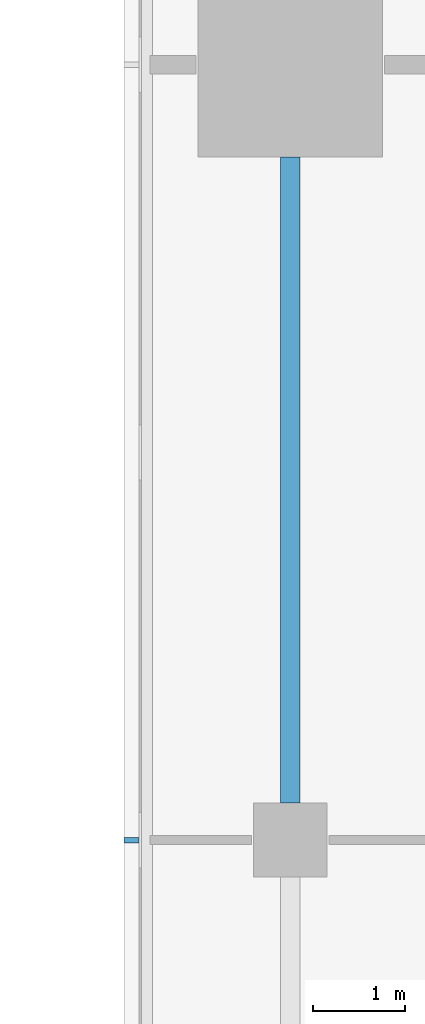
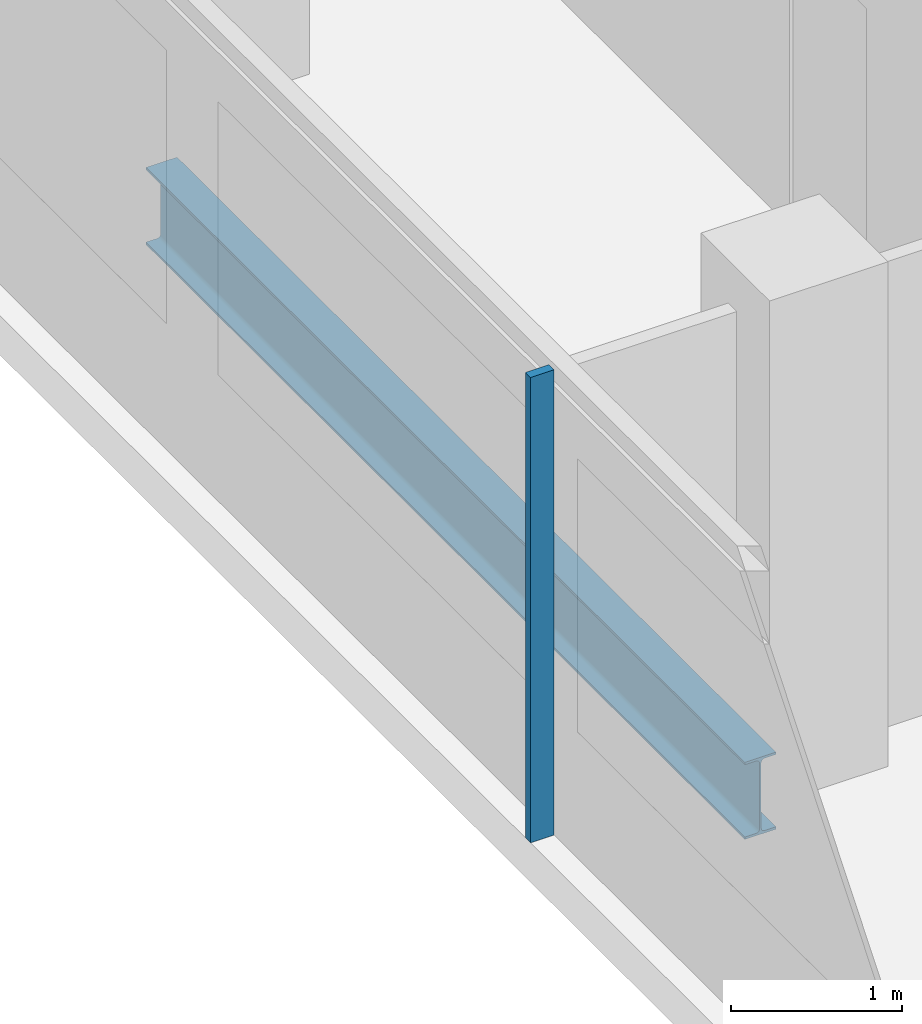
# One storey, part 4 of 27: 1 beam, 1 member, 1 element without a shape of its own.
"""IFC4 building model written with IfcOpenShell, lengths in metres."""

from ifc_helpers import new_model, si_unit, direction, frame, origin, origin_2d, place, context, subcontext, project, spatial, rectangle, i_section, extrude, material, material_profile, profile_set, type_object, element, aggregate, save


model = new_model("IFC4")

# Units and contexts
model_context = context("Model", 3, precision=1e-05, world=origin(), true_north=direction((0.0, 1.0)))
body_context = subcontext(model_context, "Body", "Model", "MODEL_VIEW")
ifc_project = project(units=[si_unit("LENGTHUNIT", "METRE"), si_unit("AREAUNIT", "SQUARE_METRE"), si_unit("VOLUMEUNIT", "CUBIC_METRE"), si_unit("PLANEANGLEUNIT", "RADIAN"), si_unit("MASSUNIT", "GRAM", prefix="KILO")], contexts=[model_context])

# Site, building, storey
site_placement = place(None, origin())
site = spatial("IfcSite", under=ifc_project, at=site_placement, CompositionType="ELEMENT")
building_placement = place(site_placement, origin())
building = spatial("IfcBuilding", under=site, at=building_placement, Name="Saffron Gate Tower", CompositionType="ELEMENT")
storey_placement = place(building_placement, frame((0.0, 0.0, 134.85009765625)))
storey = spatial("IfcBuildingStorey", under=building, at=storey_placement, Name="L32", CompositionType="ELEMENT", Elevation=134.85009765625)

# Beam
ifc_material_1 = material(Name="Structural steel S355", Category="steel")
ifc_material_profile_1 = material_profile(ifc_material_1, i_section(OverallWidth=0.2099609375, OverallDepth=0.550048828125, WebThickness=0.010986328125, FlangeThickness=0.01708984375, FilletRadius=0.02392578125, at=origin_2d()))
ifc_profile_set_1 = profile_set([ifc_material_profile_1], Name="Structural steel S355")
beam_type = type_object("IfcBeamType", Name="B13 IPE 550", PredefinedType="SPANDREL", material=ifc_profile_set_1)
beam_placement = place(storey_placement, frame((49.800048828125, 57.39990234375, -0.55517578125), z_axis=(0.0, 1.0, 0.0), x_axis=(-1.0, 0.0, 0.0)))
element("IfcBeam", 1, at=beam_placement, inside=storey, type_object=beam_type, Name="B13 SPANDREL BEAM", PredefinedType="SPANDREL", context=body_context, shape_type="SweptSolid", body=[
    extrude(i_section(OverallWidth=0.2099609375, OverallDepth=0.550048828125, WebThickness=0.010986328125, FlangeThickness=0.01708984375, FilletRadius=0.02392578125, at=origin_2d()), origin(), (0.0, 0.0, 1.0), 7.0),
])

# Curtain wall, member
ifc_material_2 = material(Name="Aluminium, bronze anodised", Category="aluminium")
curtain_wall_type = type_object("IfcCurtainWallType", Name="CWS2 curtain wall side facades", PredefinedType="NOTDEFINED", material=ifc_material_2)
curtain_wall_placement = place(storey_placement, origin())
curtain_wall = element("IfcCurtainWall", 2, at=curtain_wall_placement, inside=storey, type_object=curtain_wall_type, Name="CWS2 run 10", PredefinedType="NOTDEFINED")
ifc_material_profile_2 = material_profile(ifc_material_2, rectangle(XDim=0.159912109375, YDim=0.06005859375, at=origin_2d()))
ifc_profile_set_2 = profile_set([ifc_material_profile_2], Name="Aluminium, bronze anodised")
member_type = type_object("IfcMemberType", Name="CWS2 mullion 60x160", PredefinedType="MULLION", material=ifc_profile_set_2)
member_placement = place(storey_placement, frame((48.080078125, 57.0, 0.0), z_axis=(0.0, 0.0, 1.0), x_axis=(1.0, 0.0, 0.0)))
member = element("IfcMember", 3, at=member_placement, type_object=member_type, Name="CWS2 mullion 3", PredefinedType="MULLION", context=body_context, shape_type="SweptSolid", body=[
    extrude(rectangle(XDim=0.159912109375, YDim=0.06005859375, at=origin_2d()), origin(), (0.0, 0.0, 1.0), 3.31982421875),
])
aggregate(curtain_wall, [member])

save(model, "model.ifc")
